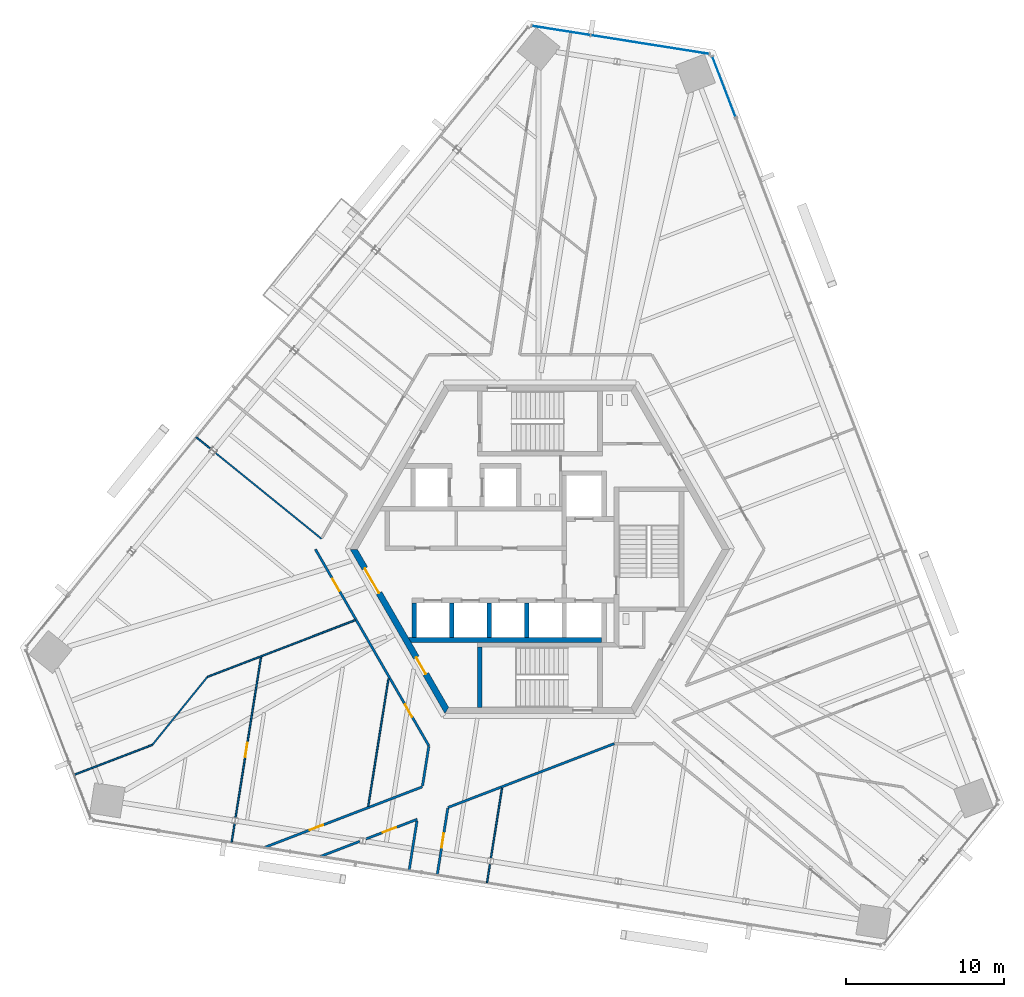
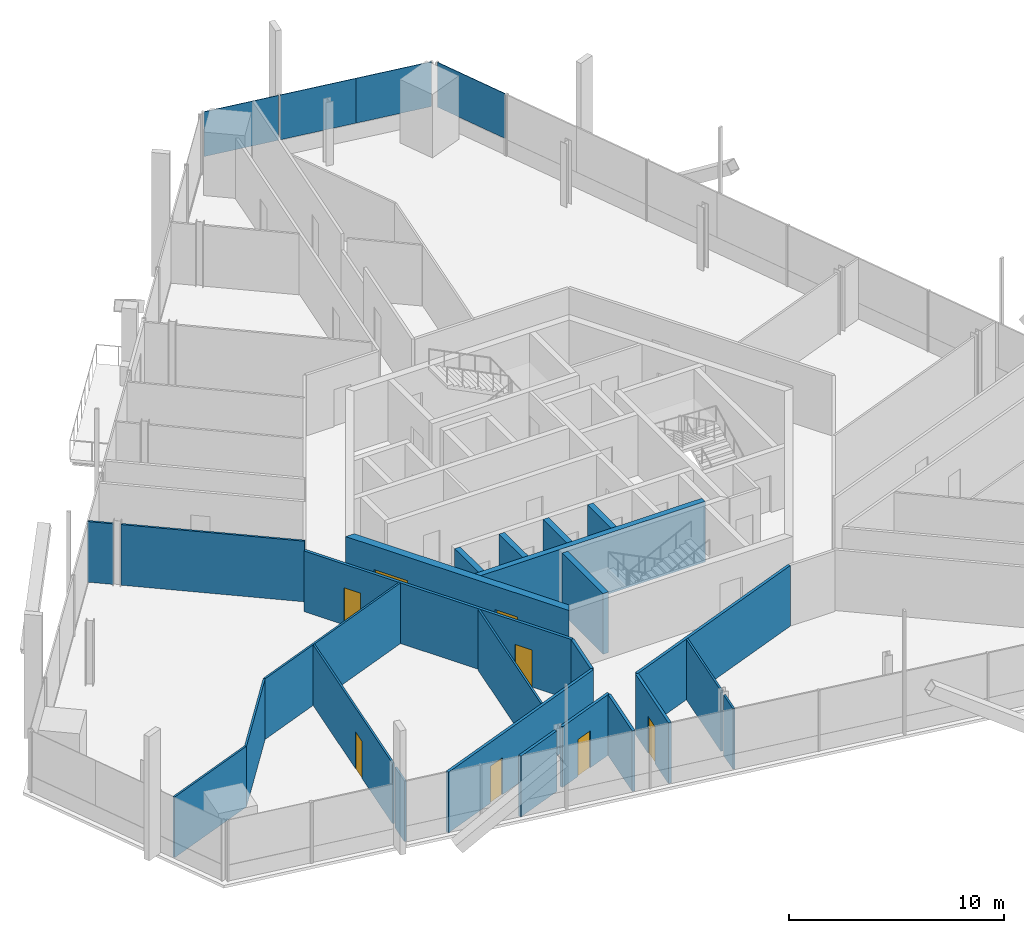
# One storey, part 11 of 21: 25 walls, 8 doors, 4 plates, 8 openings, 2 elements without a shape of their own.
"""IFC4 building model written with IfcOpenShell, lengths in metres."""

from ifc_helpers import new_model, si_unit, direction, frame, frame_2d, origin, origin_2d, place, context, subcontext, project, spatial, polyline, rectangle, outline, extrude, source, transform, mapped, material, layer, layer_set, type_object, element, fill, aggregate, save


model = new_model("IFC4")

# Units and contexts
model_context = context("Model", 3, precision=1e-05, world=origin(), true_north=direction((0.0, 1.0)))
body_context = subcontext(model_context, "Body", "Model", "MODEL_VIEW")
ifc_project = project(units=[si_unit("LENGTHUNIT", "METRE"), si_unit("AREAUNIT", "SQUARE_METRE"), si_unit("VOLUMEUNIT", "CUBIC_METRE"), si_unit("PLANEANGLEUNIT", "RADIAN"), si_unit("MASSUNIT", "GRAM", prefix="KILO")], contexts=[model_context])

# Site, building, storey
site_placement = place(None, origin())
site = spatial("IfcSite", under=ifc_project, at=site_placement, CompositionType="ELEMENT")
building_placement = place(site_placement, origin())
building = spatial("IfcBuilding", under=site, at=building_placement, Name="Triune Harvest Tower", CompositionType="ELEMENT")
storey_placement = place(building_placement, frame((0.0, 0.0, 146.10009765625)))
storey = spatial("IfcBuildingStorey", under=building, at=storey_placement, Name="L37", CompositionType="ELEMENT", Elevation=146.10009765625)

# Curtain wall, plates
ifc_material_1 = material(Name="Aluminium bronze anodised", Category="aluminium")
curtain_wall_type = type_object("IfcCurtainWallType", Name="CW-1 Tower stick curtain wall", PredefinedType="NOTDEFINED", material=ifc_material_1)
curtain_wall_1_placement = place(storey_placement, origin())
curtain_wall_1 = element("IfcCurtainWall", 1, at=curtain_wall_1_placement, inside=storey, type_object=curtain_wall_type, Name="CW-1 B4-F2 L37 run 1")
ifc_material_2 = material(Name="Glass", Category="glass")
ifc_layer_1 = layer(ifc_material_2, 0.031982421875)
ifc_layer_set_1 = layer_set([ifc_layer_1], Name="Glass")
plate_type = type_object("IfcPlateType", Name="GL-1 panel 32", PredefinedType="CURTAIN_PANEL", material=ifc_layer_set_1)
shared_shape_1 = source(origin(), body_context, "Body", "SweptSolid", [
    extrude(rectangle(XDim=3.74951171875, YDim=0.031982421875, at=origin_2d()), origin(), (0.0, 0.0, 1.0), 2.5400390625),
])
plate_1_placement = place(storey_placement, frame((8.841552734375, 31.614990234375, 0.89990234375), z_axis=(0.0, 0.0, 1.0), x_axis=(-0.987688615663, 0.156432728322, 0.0)))
plate_1 = element("IfcPlate", 2, at=plate_1_placement, type_object=plate_type, Name="CW-1 panel B4-F2 1.1", PredefinedType="CURTAIN_PANEL", context=body_context, shape_type="MappedRepresentation", body=[
    mapped(shared_shape_1, transform((0.0, 0.0, 0.0), scale=1.0)),
])
shared_shape_2 = source(origin(), body_context, "Body", "SweptSolid", [
    extrude(rectangle(XDim=3.787109375, YDim=0.031982421875, at=origin_2d()), origin(), (0.0, 0.0, 1.0), 2.5400390625),
])
plate_2_placement = place(storey_placement, frame((5.11962890625, 32.20458984375, 0.89990234375), z_axis=(0.0, 0.0, 1.0), x_axis=(-0.987688615663, 0.156432728322, 0.0)))
plate_2 = element("IfcPlate", 3, at=plate_2_placement, type_object=plate_type, Name="CW-1 panel B4-F2 1.2", PredefinedType="CURTAIN_PANEL", context=body_context, shape_type="MappedRepresentation", body=[
    mapped(shared_shape_2, transform((0.0, 0.0, 0.0), scale=1.0)),
])
shared_shape_3 = source(origin(), body_context, "Body", "SweptSolid", [
    extrude(rectangle(XDim=3.7119140625, YDim=0.031982421875, at=origin_2d()), origin(), (0.0, 0.0, 1.0), 2.5400390625),
])
plate_3_placement = place(storey_placement, frame((1.34228515625, 32.802734375, 0.89990234375), z_axis=(0.0, 0.0, 1.0), x_axis=(-0.987688615663, 0.156432728322, 0.0)))
plate_3 = element("IfcPlate", 4, at=plate_3_placement, type_object=plate_type, Name="CW-1 panel B4-F2 1.3", PredefinedType="CURTAIN_PANEL", context=body_context, shape_type="MappedRepresentation", body=[
    mapped(shared_shape_3, transform((0.0, 0.0, 0.0), scale=1.0)),
])
aggregate(curtain_wall_1, [plate_1, plate_2, plate_3])

# Curtain wall, plate
curtain_wall_2_placement = place(storey_placement, origin())
curtain_wall_2 = element("IfcCurtainWall", 5, at=curtain_wall_2_placement, inside=storey, type_object=curtain_wall_type, Name="CW-1 B4-F1 L37 run 2001")
shared_shape_4 = source(origin(), body_context, "Body", "SweptSolid", [
    extrude(rectangle(XDim=4.05615234375, YDim=0.031982421875, at=origin_2d()), origin(), (0.0, 0.0, 1.0), 2.5400390625),
])
plate_4_placement = place(storey_placement, frame((11.64208984375, 29.24853515625, 0.89990234375), z_axis=(0.0, 0.0, 1.0), x_axis=(-0.358367533395, 0.933580586242, 0.0)))
plate_4 = element("IfcPlate", 6, at=plate_4_placement, type_object=plate_type, Name="CW-1 panel B4-F1 2001.1", PredefinedType="CURTAIN_PANEL", context=body_context, shape_type="MappedRepresentation", body=[
    mapped(shared_shape_4, transform((0.0, 0.0, 0.0), scale=1.0)),
])
aggregate(curtain_wall_2, [plate_4])

# Walls
ifc_material_3 = material(Name="Gypsum board on steel studs", Category="steel")
ifc_layer_2 = layer(ifc_material_3, 0.10009765625)
ifc_layer_set_2 = layer_set([ifc_layer_2], Name="Gypsum board on steel studs")
wall_type_1 = type_object("IfcWallType", Name="Partition 100 mm", PredefinedType="PARTITIONING", material=ifc_layer_set_2)
wall_1_placement = place(storey_placement, frame((-29.45263671875, -14.26611328125, 0.0), z_axis=(0.0, 0.0, 1.0), x_axis=(0.933593735553, 0.358333276345, 0.0)))
element("IfcWall", 7, at=wall_1_placement, inside=storey, type_object=wall_type_1, Name="Partition L37 035", PredefinedType="PARTITIONING", context=body_context, shape_type="SweptSolid", body=[
    extrude(rectangle(XDim=5.295166015625, YDim=0.10009765625, at=frame_2d((2.6474609375, 0.0))), origin(), (0.0, 0.0, 1.0), 3.43994140625),
])
wall_2_placement = place(storey_placement, frame((-24.499755859375, -12.364990234375, 0.0), z_axis=(0.0, 0.0, 1.0), x_axis=(0.629319141508, 0.777146973314, 0.0)))
element("IfcWall", 8, at=wall_2_placement, inside=storey, type_object=wall_type_1, Name="Partition L37 039", PredefinedType="PARTITIONING", context=body_context, shape_type="SweptSolid", body=[
    extrude(rectangle(XDim=5.517822265625, YDim=0.10009765625, at=frame_2d((2.7587890625, 0.0))), origin(), (0.0, 0.0, 1.0), 3.43994140625),
])

# Wall, openings, doors
ifc_material_4 = material(Name="Concrete 70 MPa", Category="concrete")
ifc_layer_3 = layer(ifc_material_4, 0.39990234375)
ifc_layer_set_3 = layer_set([ifc_layer_3], Name="Concrete 70 MPa")
wall_type_2 = type_object("IfcWallType", Name="Core wall 400", PredefinedType="SHEAR", material=ifc_layer_set_3)
shared_shape_5 = source(origin(), body_context, "Body", "SweptSolid", [
    extrude(outline(polyline([(-0.115478515625, -0.199951171875), (11.884521484375, -0.199951171875), (11.653564453125, 0.199951171875), (0.115478515625, 0.199951171875), (-0.115478515625, -0.199951171875)])), origin(), (0.0, 0.0, 1.0), 3.43994140625),
])
wall_3_placement = place(storey_placement, frame((-11.76904296875, 0.0, 0.0), z_axis=(0.0, 0.0, 1.0), x_axis=(0.499996592174, -0.866027371285, 0.0)))
wall_3 = element("IfcWall", 9, at=wall_3_placement, inside=storey, type_object=wall_type_2, Name="Hexagon 3 wall", PredefinedType="SHEAR", context=body_context, shape_type="MappedRepresentation", body=[
    mapped(shared_shape_5, transform((0.0, 0.0, 0.0), scale=1.0)),
])
opening_1_placement = place(wall_3_placement, frame((1.404541015625, 0.0, 0.0)))
opening_1 = element("IfcOpeningElement", 10, at=opening_1_placement, cuts=wall_3, Name="Opening CD-LS", PredefinedType="OPENING", context=body_context, shape_type="SweptSolid", body=[
    extrude(rectangle(XDim=1.800048828125, YDim=2.10009765625, at=frame_2d((0.89990234375, 1.050048828125))), frame((0.0, 0.2099609375, 0.0), z_axis=(0.0, -1.0, 0.0), x_axis=(1.0, 0.0, 0.0)), (0.0, 0.0, 1.0), 0.419921875),
])
opening_2_placement = place(wall_3_placement, frame((7.91455078125, 0.0, 0.0)))
opening_2 = element("IfcOpeningElement", 11, at=opening_2_placement, cuts=wall_3, Name="Opening CD-SWP", PredefinedType="OPENING", context=body_context, shape_type="SweptSolid", body=[
    extrude(rectangle(XDim=1.199951171875, YDim=2.10009765625, at=frame_2d((0.60009765625, 1.050048828125))), frame((0.0, 0.2099609375, 0.0), z_axis=(0.0, -1.0, 0.0), x_axis=(1.0, 0.0, 0.0)), (0.0, 0.0, 1.0), 0.419921875),
])
ifc_material_5 = material(Name="Steel S235", Category="steel")
door_type_1 = type_object("IfcDoorType", Name="Lobby door 1800 FD120", OperationType="DOUBLE_DOOR_DOUBLE_SWING", PredefinedType="DOOR", material=ifc_material_5)
door_1_placement = place(opening_1_placement, frame((1.800048828125, 0.0, 0.0), z_axis=(0.0, 0.0, 1.0), x_axis=(-1.0, 0.0, 0.0)))
door_1 = element("IfcDoor", 12, at=door_1_placement, inside=storey, type_object=door_type_1, Name="Door CD-LS", OperationType="DOUBLE_DOOR_DOUBLE_SWING", OverallHeight=2.10009765625, OverallWidth=1.800048828125, PredefinedType="DOOR", context=body_context, shape_type="SweptSolid", body=[
    extrude(rectangle(XDim=1.800048828125, YDim=2.10009765625, at=frame_2d((0.89990234375, 1.050048828125))), frame((0.0, 0.02490234375, 0.0), z_axis=(0.0, -1.0, 0.0), x_axis=(1.0, 0.0, 0.0)), (0.0, 0.0, 1.0), 0.050048828125),
])
fill(opening_1, door_1)
ifc_material_6 = material(Name="Steel S235", Category="steel")
door_type_2 = type_object("IfcDoorType", Name="Service door 1200 FD120", OperationType="SINGLE_SWING_LEFT", PredefinedType="DOOR", material=ifc_material_6)
door_2_placement = place(opening_2_placement, frame((1.199951171875, 0.0, 0.0), z_axis=(0.0, 0.0, 1.0), x_axis=(-1.0, 0.0, 0.0)))
door_2 = element("IfcDoor", 13, at=door_2_placement, inside=storey, type_object=door_type_2, Name="Door CD-SWP", OperationType="SINGLE_SWING_RIGHT", OverallHeight=2.10009765625, OverallWidth=1.199951171875, PredefinedType="DOOR", context=body_context, shape_type="SweptSolid", body=[
    extrude(rectangle(XDim=1.199951171875, YDim=2.10009765625, at=frame_2d((0.60009765625, 1.050048828125))), frame((0.0, 0.02490234375, 0.0), z_axis=(0.0, -1.0, 0.0), x_axis=(1.0, 0.0, 0.0)), (0.0, 0.0, 1.0), 0.050048828125),
])
fill(opening_2, door_2)

# Walls
ifc_material_7 = material(Name="Concrete 70 MPa", Category="concrete")
ifc_layer_4 = layer(ifc_material_7, 0.300048828125)
ifc_layer_set_4 = layer_set([ifc_layer_4], Name="Concrete 70 MPa")
wall_type_3 = type_object("IfcWallType", Name="Core wall 300", PredefinedType="SHEAR", material=ifc_layer_set_4)
shared_shape_6 = source(origin(), body_context, "Body", "SweptSolid", [
    extrude(outline(polyline([(12.0, -0.14990234375), (-0.039794921875, -0.14990234375), (-0.212890625, 0.14990234375), (12.0, 0.14990234375), (12.0, -0.14990234375)])), origin(), (0.0, 0.0, 1.0), 3.43994140625),
])
wall_4_placement = place(storey_placement, frame((-8.10009765625, -5.739990234375, 0.0), z_axis=(0.0, 0.0, 1.0), x_axis=(1.0, 0.0, 0.0)))
element("IfcWall", 14, at=wall_4_placement, inside=storey, type_object=wall_type_3, Name="South back wall", PredefinedType="SHEAR", context=body_context, shape_type="MappedRepresentation", body=[
    mapped(shared_shape_6, transform((0.0, 0.0, 0.0), scale=1.0)),
])
shared_shape_7 = source(origin(), body_context, "Body", "SweptSolid", [
    extrude(rectangle(XDim=2.2001953125, YDim=0.300048828125, at=frame_2d((1.10009765625, 0.0))), origin(), (0.0, 0.0, 1.0), 3.43994140625),
])
for number, where, z_axis, x_axis, name in (
    (15, (-7.949951171875, -5.590087890625, 0.0), (0.0, 0.0, 1.0), (0.0, 1.0, 0.0), "South end west wall"),
    (16, (-5.574951171875, -5.590087890625, 0.0), (0.0, 0.0, 1.0), (0.0, 1.0, 0.0), "South cross 1 wall"),
    (17, (-3.199951171875, -5.590087890625, 0.0), (0.0, 0.0, 1.0), (0.0, 1.0, 0.0), "South cross 2 wall"),
    (18, (-0.824951171875, -5.590087890625, 0.0), (0.0, 0.0, 1.0), (0.0, 1.0, 0.0), "South cross 3 wall"),
):
    element("IfcWall", number, at=place(storey_placement, frame(where, z_axis=z_axis, x_axis=x_axis)), inside=storey, type_object=wall_type_3, Name=name, PredefinedType="SHEAR", context=body_context, shape_type="MappedRepresentation", body=[
        mapped(shared_shape_7, transform((0.0, 0.0, 0.0), scale=1.0)),
    ])
shared_shape_8 = source(origin(), body_context, "Body", "SweptSolid", [
    extrude(outline(polyline([(3.800048828125, -0.14990234375), (-0.00439453125, -0.14990234375), (-0.00439453125, 0.14990234375), (3.800048828125, 0.14990234375), (3.800048828125, -0.14990234375)])), origin(), (0.0, 0.0, 1.0), 3.43994140625),
])
wall_5_placement = place(storey_placement, frame((-3.800048828125, -9.989990234375, 0.0), z_axis=(0.0, 0.0, 1.0), x_axis=(0.0, 1.0, 0.0)))
element("IfcWall", 19, at=wall_5_placement, inside=storey, type_object=wall_type_3, Name="Stair s west wall", PredefinedType="SHEAR", context=body_context, shape_type="MappedRepresentation", body=[
    mapped(shared_shape_8, transform((0.0, 0.0, 0.0), scale=1.0)),
])
shared_shape_9 = source(origin(), body_context, "Body", "SweptSolid", [
    extrude(rectangle(XDim=1.212158203125, YDim=0.10009765625, at=frame_2d((0.60595703125, 0.0))), origin(), (0.0, 0.0, 1.0), 3.43994140625),
])
for number, where, z_axis, x_axis, name in (
    (20, (-21.7373046875, 7.083251953125, 0.0), (0.0, 0.0, 1.0), (0.777061908225, -0.629424173977, 0.0), "Partition L37 005"),
    (21, (-3.340087890625, -21.087890625, 0.0), (0.0, 0.0, 1.0), (0.156490008952, 0.987679541703, 0.0), "Partition L37 043"),
):
    element("IfcWall", number, at=place(storey_placement, frame(where, z_axis=z_axis, x_axis=x_axis)), inside=storey, type_object=wall_type_1, Name=name, PredefinedType="PARTITIONING", context=body_context, shape_type="MappedRepresentation", body=[
        mapped(shared_shape_9, transform((0.0, 0.0, 0.0), scale=1.0)),
    ])
shared_shape_10 = source(origin(), body_context, "Body", "SweptSolid", [
    extrude(rectangle(XDim=8.63427734375, YDim=0.10009765625, at=frame_2d((4.317138671875, 0.0))), origin(), (0.0, 0.0, 1.0), 3.43994140625),
])
wall_6_placement = place(storey_placement, frame((-20.520751953125, 6.097900390625, 0.0), z_axis=(0.0, 0.0, 1.0), x_axis=(0.777158603042, -0.629304779672, 0.0)))
element("IfcWall", 22, at=wall_6_placement, inside=storey, type_object=wall_type_1, Name="Partition L37 006", PredefinedType="PARTITIONING", context=body_context, shape_type="MappedRepresentation", body=[
    mapped(shared_shape_10, transform((0.0, 0.0, 0.0), scale=1.0)),
])
shared_shape_11 = source(origin(), body_context, "Body", "SweptSolid", [
    extrude(rectangle(XDim=1.2119140625, YDim=0.10009765625, at=frame_2d((0.60595703125, 0.0))), origin(), (0.0, 0.0, 1.0), 3.43994140625),
])
wall_7_placement = place(storey_placement, frame((-19.48876953125, -18.530029296875, 0.0), z_axis=(0.0, 0.0, 1.0), x_axis=(0.15652114429, 0.987674608052, 0.0)))
element("IfcWall", 23, at=wall_7_placement, inside=storey, type_object=wall_type_1, Name="Partition L37 052", PredefinedType="PARTITIONING", context=body_context, shape_type="MappedRepresentation", body=[
    mapped(shared_shape_11, transform((0.0, 0.0, 0.0), scale=1.0)),
])
shared_shape_12 = source(origin(), body_context, "Body", "SweptSolid", [
    extrude(rectangle(XDim=4.496337890625, YDim=0.10009765625, at=frame_2d((2.248046875, 0.0))), origin(), (0.0, 0.0, 1.0), 3.43994140625),
])
wall_8_placement = place(storey_placement, frame((-3.09521484375, -19.54150390625, 0.0), z_axis=(0.0, 0.0, 1.0), x_axis=(0.15648674704, 0.987680058521, 0.0)))
element("IfcWall", 24, at=wall_8_placement, inside=storey, type_object=wall_type_1, Name="Partition L37 044", PredefinedType="PARTITIONING", context=body_context, shape_type="MappedRepresentation", body=[
    mapped(shared_shape_12, transform((0.0, 0.0, 0.0), scale=1.0)),
])

# Wall, opening, door
shared_shape_13 = source(origin(), body_context, "Body", "SweptSolid", [
    extrude(rectangle(XDim=10.345458984375, YDim=0.10009765625, at=frame_2d((5.1728515625, 0.0))), origin(), (0.0, 0.0, 1.0), 3.43994140625),
])
wall_9_placement = place(storey_placement, frame((-19.243896484375, -16.98388671875, 0.0), z_axis=(0.0, 0.0, 1.0), x_axis=(0.156437596398, 0.987687844632, 0.0)))
wall_9 = element("IfcWall", 25, at=wall_9_placement, inside=storey, type_object=wall_type_1, Name="Partition L37 053", PredefinedType="PARTITIONING", context=body_context, shape_type="MappedRepresentation", body=[
    mapped(shared_shape_13, transform((0.0, 0.0, 0.0), scale=1.0)),
])
opening_3_placement = place(wall_9_placement, frame((3.8955078125, 0.0, 0.0)))
opening_3 = element("IfcOpeningElement", 26, at=opening_3_placement, cuts=wall_9, Name="Opening L37-015", PredefinedType="OPENING", context=body_context, shape_type="SweptSolid", body=[
    extrude(rectangle(XDim=0.89990234375, YDim=2.10009765625, at=frame_2d((0.449951171875, 1.050048828125))), frame((0.0, 0.06005859375, 0.0), z_axis=(0.0, -1.0, 0.0), x_axis=(1.0, 0.0, 0.0)), (0.0, 0.0, 1.0), 0.1201171875),
])
ifc_material_8 = material(Name="Timber and steel door set", Category="steel")
door_type_3 = type_object("IfcDoorType", Name="Single leaf door left hand 900 x 2100", OperationType="SINGLE_SWING_LEFT", PredefinedType="DOOR", material=ifc_material_8)
door_3_placement = place(opening_3_placement, origin())
door_3 = element("IfcDoor", 27, at=door_3_placement, inside=storey, type_object=door_type_3, Name="Door L37-015 Pantry 37.15", OperationType="SINGLE_SWING_LEFT", OverallHeight=2.10009765625, OverallWidth=0.89990234375, PredefinedType="DOOR", context=body_context, shape_type="SweptSolid", body=[
    extrude(rectangle(XDim=0.89990234375, YDim=2.10009765625, at=frame_2d((0.449951171875, 1.050048828125))), frame((0.0, 0.02490234375, 0.0), z_axis=(0.0, -1.0, 0.0), x_axis=(1.0, 0.0, 0.0)), (0.0, 0.0, 1.0), 0.050048828125),
])
fill(opening_3, door_3)

# Wall
ifc_material_9 = material(Name="Gypsum board on steel studs", Category="steel")
ifc_layer_5 = layer(ifc_material_9, 0.14990234375)
ifc_layer_set_5 = layer_set([ifc_layer_5], Name="Gypsum board on steel studs")
wall_type_4 = type_object("IfcWallType", Name="Fire Partition 150 mm", PredefinedType="PARTITIONING", material=ifc_layer_set_5)
shared_shape_14 = source(origin(), body_context, "Body", "SweptSolid", [
    extrude(rectangle(XDim=11.268798828125, YDim=0.14990234375, at=frame_2d((5.63427734375, 0.0))), origin(), (0.0, 0.0, 1.0), 3.43994140625),
])
wall_10_placement = place(storey_placement, frame((-5.81396484375, -16.33056640625, 0.0), z_axis=(0.0, 0.0, 1.0), x_axis=(0.933581043585, 0.358366341973, 0.0)))
element("IfcWall", 28, at=wall_10_placement, inside=storey, type_object=wall_type_4, Name="Partition L37 029", PredefinedType="PARTITIONING", context=body_context, shape_type="MappedRepresentation", body=[
    mapped(shared_shape_14, transform((0.0, 0.0, 0.0), scale=1.0)),
])

# Wall, opening, door
shared_shape_15 = source(origin(), body_context, "Body", "SweptSolid", [
    extrude(rectangle(XDim=10.701904296875, YDim=0.14990234375, at=frame_2d((5.35107421875, 0.0))), origin(), (0.0, 0.0, 1.0), 3.43994140625),
])
wall_11_placement = place(storey_placement, frame((-17.419921875, -18.85791015625, 0.0), z_axis=(0.0, 0.0, 1.0), x_axis=(0.933579418289, 0.358370576006, 0.0)))
wall_11 = element("IfcWall", 29, at=wall_11_placement, inside=storey, type_object=wall_type_4, Name="Partition L37 031", PredefinedType="PARTITIONING", context=body_context, shape_type="MappedRepresentation", body=[
    mapped(shared_shape_15, transform((0.0, 0.0, 0.0), scale=1.0)),
])
opening_4_placement = place(wall_11_placement, frame((3.07080078125, 0.0, 0.0)))
opening_4 = element("IfcOpeningElement", 30, at=opening_4_placement, cuts=wall_11, Name="Opening L37-016", PredefinedType="OPENING", context=body_context, shape_type="SweptSolid", body=[
    extrude(rectangle(XDim=0.89990234375, YDim=2.10009765625, at=frame_2d((0.449951171875, 1.050048828125))), frame((0.0, 0.0849609375, 0.0), z_axis=(0.0, -1.0, 0.0), x_axis=(1.0, 0.0, 0.0)), (0.0, 0.0, 1.0), 0.169921875),
])
ifc_material_10 = material(Name="Timber and steel door set", Category="steel")
door_type_4 = type_object("IfcDoorType", Name="Single leaf door FD30 left hand 900 x 2100", OperationType="SINGLE_SWING_LEFT", PredefinedType="DOOR", material=ifc_material_10)
door_4_placement = place(opening_4_placement, origin())
door_4 = element("IfcDoor", 31, at=door_4_placement, inside=storey, type_object=door_type_4, Name="Door L37-016 Open Office 37.16", OperationType="SINGLE_SWING_LEFT", OverallHeight=2.10009765625, OverallWidth=0.89990234375, PredefinedType="DOOR", context=body_context, shape_type="SweptSolid", body=[
    extrude(rectangle(XDim=0.89990234375, YDim=2.10009765625, at=frame_2d((0.449951171875, 1.050048828125))), frame((0.0, 0.02490234375, 0.0), z_axis=(0.0, -1.0, 0.0), x_axis=(1.0, 0.0, 0.0)), (0.0, 0.0, 1.0), 0.050048828125),
])
fill(opening_4, door_4)

# Wall
shared_shape_16 = source(origin(), body_context, "Body", "SweptSolid", [
    extrude(rectangle(XDim=10.010986328125, YDim=0.10009765625, at=frame_2d((5.00537109375, 0.0))), origin(), (0.0, 0.0, 1.0), 3.43994140625),
])
wall_12_placement = place(storey_placement, frame((-21.02099609375, -8.069091796875, 0.0), z_axis=(0.0, 0.0, 1.0), x_axis=(0.933589262428, 0.35834493031, 0.0)))
element("IfcWall", 32, at=wall_12_placement, inside=storey, type_object=wall_type_1, Name="Partition L37 036", PredefinedType="PARTITIONING", context=body_context, shape_type="MappedRepresentation", body=[
    mapped(shared_shape_16, transform((0.0, 0.0, 0.0), scale=1.0)),
])

# Wall, opening, door
shared_shape_17 = source(origin(), body_context, "Body", "SweptSolid", [
    extrude(rectangle(XDim=4.261474609375, YDim=0.14990234375, at=frame_2d((2.130859375, 0.0))), origin(), (0.0, 0.0, 1.0), 3.43994140625),
])
wall_13_placement = place(storey_placement, frame((-6.48828125, -20.589111328125, 0.0), z_axis=(0.0, 0.0, 1.0), x_axis=(0.156403851818, 0.987693188767, 0.0)))
wall_13 = element("IfcWall", 33, at=wall_13_placement, inside=storey, type_object=wall_type_4, Name="Partition L37 046", PredefinedType="PARTITIONING", context=body_context, shape_type="MappedRepresentation", body=[
    mapped(shared_shape_17, transform((0.0, 0.0, 0.0), scale=1.0)),
])
opening_5_placement = place(wall_13_placement, frame((1.75, 0.0, 0.0)))
opening_5 = element("IfcOpeningElement", 34, at=opening_5_placement, cuts=wall_13, Name="Opening L37-019", PredefinedType="OPENING", context=body_context, shape_type="SweptSolid", body=[
    extrude(rectangle(XDim=0.89990234375, YDim=2.10009765625, at=frame_2d((0.449951171875, 1.050048828125))), frame((0.0, 0.0849609375, 0.0), z_axis=(0.0, -1.0, 0.0), x_axis=(1.0, 0.0, 0.0)), (0.0, 0.0, 1.0), 0.169921875),
])
door_5_placement = place(opening_5_placement, origin())
door_5 = element("IfcDoor", 35, at=door_5_placement, inside=storey, type_object=door_type_4, Name="Door L37-019 Meeting Room 37.19", OperationType="SINGLE_SWING_LEFT", OverallHeight=2.10009765625, OverallWidth=0.89990234375, PredefinedType="DOOR", context=body_context, shape_type="SweptSolid", body=[
    extrude(rectangle(XDim=0.89990234375, YDim=2.10009765625, at=frame_2d((0.449951171875, 1.050048828125))), frame((0.0, 0.02490234375, 0.0), z_axis=(0.0, -1.0, 0.0), x_axis=(1.0, 0.0, 0.0)), (0.0, 0.0, 1.0), 0.050048828125),
])
fill(opening_5, door_5)

# Walls
shared_shape_18 = source(origin(), body_context, "Body", "SweptSolid", [
    extrude(rectangle(XDim=2.54443359375, YDim=0.14990234375, at=frame_2d((1.272216796875, 0.0))), origin(), (0.0, 0.0, 1.0), 3.43994140625),
])
wall_14_placement = place(storey_placement, frame((-7.420654296875, -14.973388671875, 0.0), z_axis=(0.0, 0.0, 1.0), x_axis=(0.156396142181, 0.987694409578, 0.0)))
element("IfcWall", 36, at=wall_14_placement, inside=storey, type_object=wall_type_4, Name="Partition L37 049", PredefinedType="PARTITIONING", context=body_context, shape_type="MappedRepresentation", body=[
    mapped(shared_shape_18, transform((0.0, 0.0, 0.0), scale=1.0)),
])
shared_shape_19 = source(origin(), body_context, "Body", "SweptSolid", [
    extrude(rectangle(XDim=8.162841796875, YDim=0.10009765625, at=frame_2d((4.08154296875, 0.0))), origin(), (0.0, 0.0, 1.0), 3.43994140625),
])
wall_15_placement = place(storey_placement, frame((-10.85107421875, -16.252685546875, 0.0), z_axis=(0.0, 0.0, 1.0), x_axis=(0.156424854849, 0.987689862652, 0.0)))
element("IfcWall", 37, at=wall_15_placement, inside=storey, type_object=wall_type_1, Name="Partition L37 051", PredefinedType="PARTITIONING", context=body_context, shape_type="MappedRepresentation", body=[
    mapped(shared_shape_19, transform((0.0, 0.0, 0.0), scale=1.0)),
])

# Wall, openings, doors
shared_shape_20 = source(origin(), body_context, "Body", "SweptSolid", [
    extrude(rectangle(XDim=14.35205078125, YDim=0.14990234375, at=frame_2d((7.176025390625, 0.0))), origin(), (0.0, 0.0, 1.0), 3.43994140625),
])
wall_16_placement = place(storey_placement, frame((-14.19384765625, 0.0, 0.0), z_axis=(0.0, 0.0, 1.0), x_axis=(0.500001247692, -0.866024683428, 0.0)))
wall_16 = element("IfcWall", 38, at=wall_16_placement, inside=storey, type_object=wall_type_4, Name="Partition L37 003", PredefinedType="PARTITIONING", context=body_context, shape_type="MappedRepresentation", body=[
    mapped(shared_shape_20, transform((0.0, 0.0, 0.0), scale=1.0)),
])
opening_6_placement = place(wall_16_placement, frame((2.14990234375, 0.0, 0.0)))
opening_6 = element("IfcOpeningElement", 39, at=opening_6_placement, cuts=wall_16, Name="Opening L37-014", PredefinedType="OPENING", context=body_context, shape_type="SweptSolid", body=[
    extrude(rectangle(XDim=0.89990234375, YDim=2.10009765625, at=frame_2d((0.449951171875, 1.050048828125))), frame((0.0, 0.0849609375, 0.0), z_axis=(0.0, -1.0, 0.0), x_axis=(1.0, 0.0, 0.0)), (0.0, 0.0, 1.0), 0.169921875),
])
opening_7_placement = place(wall_16_placement, frame((11.336181640625, 0.0, 0.0)))
opening_7 = element("IfcOpeningElement", 40, at=opening_7_placement, cuts=wall_16, Name="Opening L37-018", PredefinedType="OPENING", context=body_context, shape_type="SweptSolid", body=[
    extrude(rectangle(XDim=0.89990234375, YDim=2.10009765625, at=frame_2d((0.449951171875, 1.050048828125))), frame((0.0, 0.0849609375, 0.0), z_axis=(0.0, -1.0, 0.0), x_axis=(1.0, 0.0, 0.0)), (0.0, 0.0, 1.0), 0.169921875),
])
door_6_placement = place(opening_7_placement, origin())
door_6 = element("IfcDoor", 41, at=door_6_placement, inside=storey, type_object=door_type_4, Name="Door L37-018 Office 37.18", OperationType="SINGLE_SWING_LEFT", OverallHeight=2.10009765625, OverallWidth=0.89990234375, PredefinedType="DOOR", context=body_context, shape_type="SweptSolid", body=[
    extrude(rectangle(XDim=0.89990234375, YDim=2.10009765625, at=frame_2d((0.449951171875, 1.050048828125))), frame((0.0, 0.02490234375, 0.0), z_axis=(0.0, -1.0, 0.0), x_axis=(1.0, 0.0, 0.0)), (0.0, 0.0, 1.0), 0.050048828125),
])
fill(opening_7, door_6)
ifc_material_11 = material(Name="Timber and steel door set", Category="steel")
door_type_5 = type_object("IfcDoorType", Name="Single leaf door FD30 right hand 900 x 2100", OperationType="SINGLE_SWING_RIGHT", PredefinedType="DOOR", material=ifc_material_11)
door_7_placement = place(opening_6_placement, origin())
door_7 = element("IfcDoor", 42, at=door_7_placement, inside=storey, type_object=door_type_5, Name="Door L37-014 Pantry 37.14", OperationType="SINGLE_SWING_RIGHT", OverallHeight=2.10009765625, OverallWidth=0.89990234375, PredefinedType="DOOR", context=body_context, shape_type="SweptSolid", body=[
    extrude(rectangle(XDim=0.89990234375, YDim=2.10009765625, at=frame_2d((0.449951171875, 1.050048828125))), frame((0.0, 0.02490234375, 0.0), z_axis=(0.0, -1.0, 0.0), x_axis=(1.0, 0.0, 0.0)), (0.0, 0.0, 1.0), 0.050048828125),
])
fill(opening_6, door_7)

# Wall
shared_shape_21 = source(origin(), body_context, "Body", "SweptSolid", [
    extrude(rectangle(XDim=2.66015625, YDim=0.14990234375, at=frame_2d((1.330078125, 0.0))), origin(), (0.0, 0.0, 1.0), 3.43994140625),
])
wall_17_placement = place(storey_placement, frame((-13.8642578125, -19.4208984375, 0.0), z_axis=(0.0, 0.0, 1.0), x_axis=(0.93357013855, 0.358394749414, 0.0)))
element("IfcWall", 43, at=wall_17_placement, inside=storey, type_object=wall_type_4, Name="Partition L37 027", PredefinedType="PARTITIONING", context=body_context, shape_type="MappedRepresentation", body=[
    mapped(shared_shape_21, transform((0.0, 0.0, 0.0), scale=1.0)),
])

# Wall, opening, door
shared_shape_22 = source(origin(), body_context, "Body", "SweptSolid", [
    extrude(rectangle(XDim=3.476318359375, YDim=0.14990234375, at=frame_2d((1.73828125, 0.0))), origin(), (0.0, 0.0, 1.0), 3.43994140625),
])
wall_18_placement = place(storey_placement, frame((-10.999755859375, -18.3212890625, 0.0), z_axis=(0.0, 0.0, 1.0), x_axis=(0.933573485821, 0.358386030102, 0.0)))
wall_18 = element("IfcWall", 44, at=wall_18_placement, inside=storey, type_object=wall_type_4, Name="Partition L37 028", PredefinedType="PARTITIONING", context=body_context, shape_type="MappedRepresentation", body=[
    mapped(shared_shape_22, transform((0.0, 0.0, 0.0), scale=1.0)),
])
opening_8_placement = place(wall_18_placement, frame((1.14599609375, 0.0, 0.0)))
opening_8 = element("IfcOpeningElement", 45, at=opening_8_placement, cuts=wall_18, Name="Opening L37-017", PredefinedType="OPENING", context=body_context, shape_type="SweptSolid", body=[
    extrude(rectangle(XDim=0.89990234375, YDim=2.10009765625, at=frame_2d((0.449951171875, 1.050048828125))), frame((0.0, 0.0849609375, 0.0), z_axis=(0.0, -1.0, 0.0), x_axis=(1.0, 0.0, 0.0)), (0.0, 0.0, 1.0), 0.169921875),
])
door_8_placement = place(opening_8_placement, origin())
door_8 = element("IfcDoor", 46, at=door_8_placement, inside=storey, type_object=door_type_5, Name="Door L37-017 Office 37.17", OperationType="SINGLE_SWING_RIGHT", OverallHeight=2.10009765625, OverallWidth=0.89990234375, PredefinedType="DOOR", context=body_context, shape_type="SweptSolid", body=[
    extrude(rectangle(XDim=0.89990234375, YDim=2.10009765625, at=frame_2d((0.449951171875, 1.050048828125))), frame((0.0, 0.02490234375, 0.0), z_axis=(0.0, -1.0, 0.0), x_axis=(1.0, 0.0, 0.0)), (0.0, 0.0, 1.0), 0.050048828125),
])
fill(opening_8, door_8)

# Wall
shared_shape_23 = source(origin(), body_context, "Body", "SweptSolid", [
    extrude(rectangle(XDim=3.162353515625, YDim=0.14990234375, at=frame_2d((1.5810546875, 0.0))), origin(), (0.0, 0.0, 1.0), 3.43994140625),
])
wall_19_placement = place(storey_placement, frame((-8.265625, -20.307861328125, 0.0), z_axis=(0.0, 0.0, 1.0), x_axis=(0.156406560225, 0.98769275988, 0.0)))
element("IfcWall", 47, at=wall_19_placement, inside=storey, type_object=wall_type_4, Name="Partition L37 048", PredefinedType="PARTITIONING", context=body_context, shape_type="MappedRepresentation", body=[
    mapped(shared_shape_23, transform((0.0, 0.0, 0.0), scale=1.0)),
])

save(model, "model.ifc")
